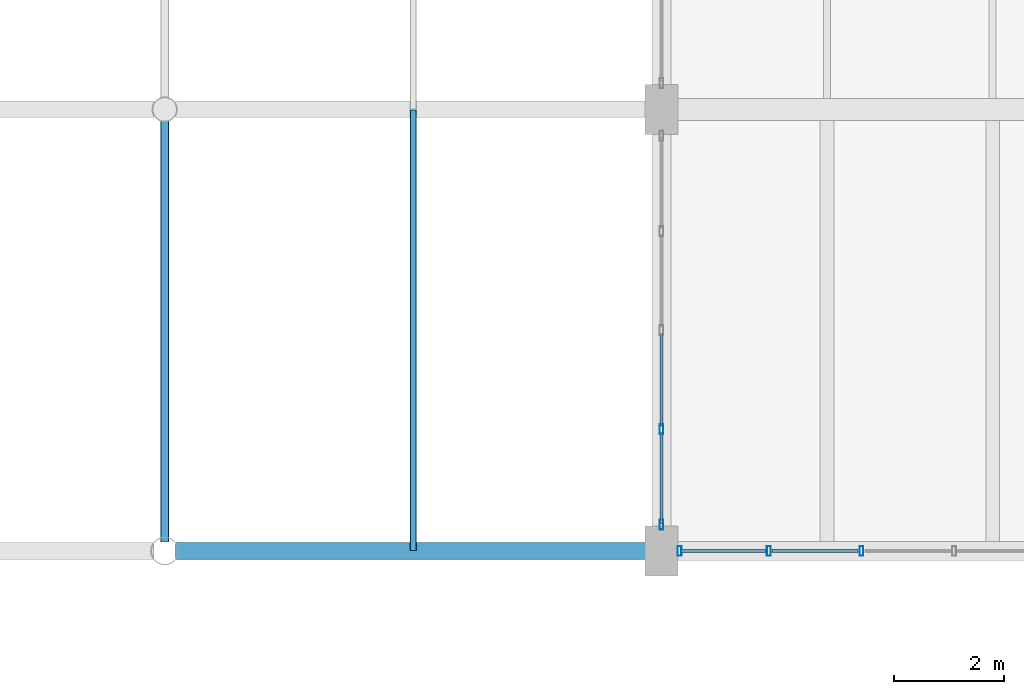
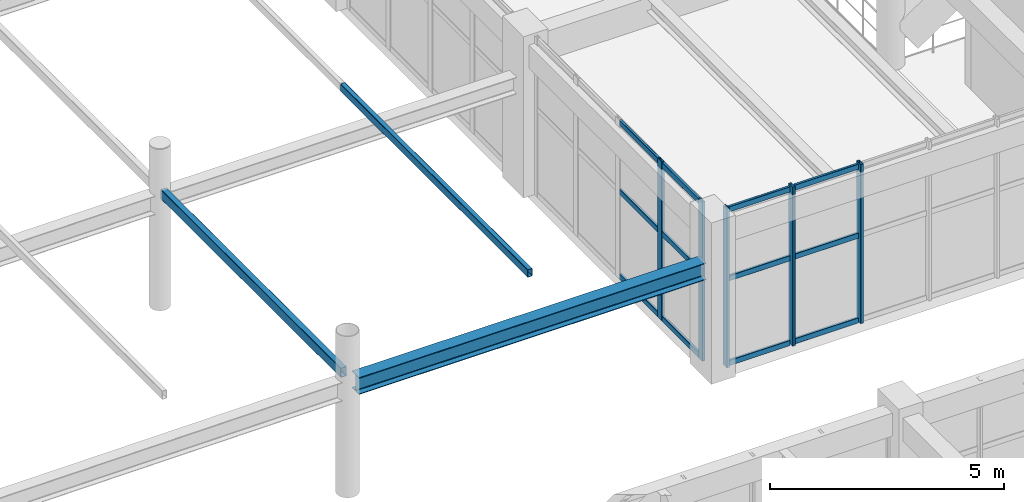
# One storey, part 21 of 148: 19 members, 1 beam, 2 elements without a shape of their own.
"""IFC4 building model written with IfcOpenShell, lengths in metres."""

from ifc_helpers import new_model, si_unit, derived_unit, direction, frame, origin, origin_2d, place, context, subcontext, project, spatial, hollow_rectangle, i_section, extrude, material, material_profile, profile_set, type_object, element, aggregate, save


model = new_model("IFC4")

# Units and contexts
model_context = context("Model", 3, precision=1e-05, world=origin(), true_north=direction((0.0, 1.0)))
body_context = subcontext(model_context, "Body", "Model", "MODEL_VIEW")
ifc_project = project(units=[si_unit("LENGTHUNIT", "METRE"), si_unit("AREAUNIT", "SQUARE_METRE"), si_unit("VOLUMEUNIT", "CUBIC_METRE"), si_unit("PLANEANGLEUNIT", "RADIAN"), si_unit("MASSUNIT", "GRAM", prefix="KILO"), derived_unit("THERMALTRANSMITTANCEUNIT", [(si_unit("MASSUNIT", "GRAM", prefix="KILO"), 1), (si_unit("TIMEUNIT", "SECOND"), -3), (si_unit("THERMODYNAMICTEMPERATUREUNIT", "KELVIN"), -1)])], contexts=[model_context])

# Site, building, storey
site_placement = place(None, origin())
site = spatial("IfcSite", under=ifc_project, at=site_placement, CompositionType="ELEMENT")
building_placement = place(site_placement, origin())
building = spatial("IfcBuilding", under=site, at=building_placement, Name="Zhenchuan Archway Interchange", CompositionType="ELEMENT")
storey_placement = place(building_placement, frame((0.0, 0.0, 10.199951171875)))
storey = spatial("IfcBuildingStorey", under=building, at=storey_placement, Name="L02", CompositionType="ELEMENT", Elevation=10.199951171875)

# Beam
ifc_material_1 = material(Name="Steel Q355", Category="steel")
ifc_material_profile_1 = material_profile(ifc_material_1, i_section(OverallWidth=0.300048828125, OverallDepth=0.43994140625, WebThickness=0.010986328125, FlangeThickness=0.01806640625, FilletRadius=0.02197265625, at=origin_2d()), Name="HM 440x300")
ifc_profile_set_1 = profile_set([ifc_material_profile_1], Name="Steel Q355")
beam_type = type_object("IfcBeamType", Name="BM_STL_HM440", PredefinedType="BEAM", material=ifc_profile_set_1)
beam_placement = place(storey_placement, frame((18.199951171875, 24.0, 2.75), z_axis=(1.0, 0.0, 0.0), x_axis=(0.0, 1.0, 0.0)))
element("IfcBeam", 1, at=beam_placement, inside=storey, type_object=beam_type, Name="ROOF TRUSS bus canopy T1 east bottom chord", PredefinedType="BEAM", context=body_context, shape_type="SweptSolid", body=[
    extrude(i_section(OverallWidth=0.300048828125, OverallDepth=0.43994140625, WebThickness=0.010986328125, FlangeThickness=0.01806640625, FilletRadius=0.02197265625, at=origin_2d()), origin(), (0.0, 0.0, 1.0), 8.550048828125),
])

# Curtain wall, members
ifc_material_2 = material(Name="Anodised Aluminium", Category="aluminium")
curtain_wall_type_1 = type_object("IfcCurtainWallType", Name="CW_UNIT_2", PredefinedType="NOTDEFINED", material=ifc_material_2)
curtain_wall_1_placement = place(storey_placement, origin())
curtain_wall_1 = element("IfcCurtainWall", 2, at=curtain_wall_1_placement, inside=storey, type_object=curtain_wall_type_1, Name="Unitised curtain wall CW:L02:125", PredefinedType="NOTDEFINED")
ifc_material_profile_2 = material_profile(ifc_material_2, hollow_rectangle(XDim=0.070068359375, YDim=0.179931640625, WallThickness=0.00390625, InnerFilletRadius=0.00390625, OuterFilletRadius=0.008056640625, at=origin_2d()), Name="ALU 180x70x4")
ifc_profile_set_2 = profile_set([ifc_material_profile_2], Name="Anodised Aluminium")
member_type_1 = type_object("IfcMemberType", Name="CW_MUL_180", PredefinedType="MULLION", material=ifc_profile_set_2)
member_1_placement = place(storey_placement, frame((30.62353515625, 24.0, 0.0), z_axis=(0.0, 0.0, 1.0), x_axis=(1.0, 0.0, 0.0)))
member_1 = element("IfcMember", 3, at=member_1_placement, type_object=member_type_1, Name="CW:L02:125 mullion 3", PredefinedType="MULLION", context=body_context, shape_type="SweptSolid", body=[
    extrude(hollow_rectangle(XDim=0.070068359375, YDim=0.179931640625, WallThickness=0.00390625, InnerFilletRadius=0.00390625, OuterFilletRadius=0.008056640625, at=origin_2d()), origin(), (0.0, 0.0, 1.0), 4.14013671875),
])
member_2_placement = place(storey_placement, frame((28.94580078125, 24.0, 0.0), z_axis=(0.0, 0.0, 1.0), x_axis=(1.0, 0.0, 0.0)))
member_2 = element("IfcMember", 4, at=member_2_placement, type_object=member_type_1, Name="CW:L02:125 mullion 4", PredefinedType="MULLION", context=body_context, shape_type="SweptSolid", body=[
    extrude(hollow_rectangle(XDim=0.070068359375, YDim=0.179931640625, WallThickness=0.00390625, InnerFilletRadius=0.00390625, OuterFilletRadius=0.008056640625, at=origin_2d()), origin(), (0.0, 0.0, 1.0), 4.14013671875),
])
member_3_placement = place(storey_placement, frame((27.327880859375, 24.0, 0.0), z_axis=(0.0, 0.0, 1.0), x_axis=(1.0, 0.0, 0.0)))
member_3 = element("IfcMember", 5, at=member_3_placement, type_object=member_type_1, Name="CW:L02:125 mullion 5", PredefinedType="MULLION", context=body_context, shape_type="SweptSolid", body=[
    extrude(hollow_rectangle(XDim=0.070068359375, YDim=0.179931640625, WallThickness=0.00390625, InnerFilletRadius=0.00390625, OuterFilletRadius=0.008056640625, at=origin_2d()), origin(), (0.0, 0.0, 1.0), 4.14013671875),
])

curtain_wall_type_2 = type_object("IfcCurtainWallType", Name="CW_UNIT_3", PredefinedType="NOTDEFINED", material=ifc_material_2)
curtain_wall_2_placement = place(storey_placement, origin())
curtain_wall_2 = element("IfcCurtainWall", 6, at=curtain_wall_2_placement, inside=storey, type_object=curtain_wall_type_2, Name="Unitised curtain wall CW:L02:126", PredefinedType="NOTDEFINED")
member_4_placement = place(storey_placement, frame((27.0, 24.47802734375, 0.0), z_axis=(0.0, 0.0, 1.0), x_axis=(1.0, 0.0, 0.0)))
member_4 = element("IfcMember", 7, at=member_4_placement, type_object=member_type_1, Name="CW:L02:126 mullion 0", PredefinedType="MULLION", context=body_context, shape_type="SweptSolid", body=[
    extrude(hollow_rectangle(XDim=0.070068359375, YDim=0.179931640625, WallThickness=0.00390625, InnerFilletRadius=0.00390625, OuterFilletRadius=0.008056640625, at=origin_2d()), origin(), (0.0, 0.0, 1.0), 4.14013671875),
])
member_5_placement = place(storey_placement, frame((27.0, 26.208984375, 0.0), z_axis=(0.0, 0.0, 1.0), x_axis=(1.0, 0.0, 0.0)))
member_5 = element("IfcMember", 8, at=member_5_placement, type_object=member_type_1, Name="CW:L02:126 mullion 1", PredefinedType="MULLION", context=body_context, shape_type="SweptSolid", body=[
    extrude(hollow_rectangle(XDim=0.070068359375, YDim=0.179931640625, WallThickness=0.00390625, InnerFilletRadius=0.00390625, OuterFilletRadius=0.008056640625, at=origin_2d()), origin(), (0.0, 0.0, 1.0), 4.14013671875),
])

# Member
ifc_material_profile_3 = material_profile(ifc_material_2, hollow_rectangle(XDim=0.06005859375, YDim=0.139892578125, WallThickness=0.00341796875, InnerFilletRadius=0.00341796875, OuterFilletRadius=0.007080078125, at=origin_2d()), Name="ALU 140x60x3.5")
ifc_profile_set_3 = profile_set([ifc_material_profile_3], Name="Anodised Aluminium")
member_type_2 = type_object("IfcMemberType", Name="CW_TRN_140", PredefinedType="USERDEFINED", material=ifc_profile_set_3)
member_6_placement = place(storey_placement, frame((30.563720703125, 24.0, 0.06005859375), z_axis=(-1.0, 0.0, 0.0), x_axis=(0.0, -1.0, 0.0)))
member_6 = element("IfcMember", 9, at=member_6_placement, type_object=member_type_2, Name="CW:L02:125 transom 3-1", ObjectType="TRANSOM", PredefinedType="USERDEFINED", context=body_context, shape_type="SweptSolid", body=[
    extrude(hollow_rectangle(XDim=0.06005859375, YDim=0.139892578125, WallThickness=0.00341796875, InnerFilletRadius=0.00341796875, OuterFilletRadius=0.007080078125, at=origin_2d()), origin(), (0.0, 0.0, 1.0), 1.557861328125),
])

member_7_placement = place(storey_placement, frame((30.563720703125, 24.0, 2.26611328125), z_axis=(-1.0, 0.0, 0.0), x_axis=(0.0, -1.0, 0.0)))
member_7 = element("IfcMember", 10, at=member_7_placement, type_object=member_type_2, Name="CW:L02:125 transom 3-2", ObjectType="TRANSOM", PredefinedType="USERDEFINED", context=body_context, shape_type="SweptSolid", body=[
    extrude(hollow_rectangle(XDim=0.06005859375, YDim=0.139892578125, WallThickness=0.00341796875, InnerFilletRadius=0.00341796875, OuterFilletRadius=0.007080078125, at=origin_2d()), origin(), (0.0, 0.0, 1.0), 1.557861328125),
])

member_8_placement = place(storey_placement, frame((30.563720703125, 24.0, 4.06005859375), z_axis=(-1.0, 0.0, 0.0), x_axis=(0.0, -1.0, 0.0)))
member_8 = element("IfcMember", 11, at=member_8_placement, type_object=member_type_2, Name="CW:L02:125 transom 3-3", ObjectType="TRANSOM", PredefinedType="USERDEFINED", context=body_context, shape_type="SweptSolid", body=[
    extrude(hollow_rectangle(XDim=0.06005859375, YDim=0.139892578125, WallThickness=0.00341796875, InnerFilletRadius=0.00341796875, OuterFilletRadius=0.007080078125, at=origin_2d()), origin(), (0.0, 0.0, 1.0), 1.557861328125),
])

member_9_placement = place(storey_placement, frame((28.8857421875, 24.0, 0.06005859375), z_axis=(-1.0, 0.0, 0.0), x_axis=(0.0, -1.0, 0.0)))
member_9 = element("IfcMember", 12, at=member_9_placement, type_object=member_type_2, Name="CW:L02:125 transom 4-1", ObjectType="TRANSOM", PredefinedType="USERDEFINED", context=body_context, shape_type="SweptSolid", body=[
    extrude(hollow_rectangle(XDim=0.06005859375, YDim=0.139892578125, WallThickness=0.00341796875, InnerFilletRadius=0.00341796875, OuterFilletRadius=0.007080078125, at=origin_2d()), origin(), (0.0, 0.0, 1.0), 1.537841796875),
])

member_10_placement = place(storey_placement, frame((28.8857421875, 24.0, 2.26611328125), z_axis=(-1.0, 0.0, 0.0), x_axis=(0.0, -1.0, 0.0)))
member_10 = element("IfcMember", 13, at=member_10_placement, type_object=member_type_2, Name="CW:L02:125 transom 4-2", ObjectType="TRANSOM", PredefinedType="USERDEFINED", context=body_context, shape_type="SweptSolid", body=[
    extrude(hollow_rectangle(XDim=0.06005859375, YDim=0.139892578125, WallThickness=0.00341796875, InnerFilletRadius=0.00341796875, OuterFilletRadius=0.007080078125, at=origin_2d()), origin(), (0.0, 0.0, 1.0), 1.537841796875),
])

member_11_placement = place(storey_placement, frame((28.8857421875, 24.0, 4.06005859375), z_axis=(-1.0, 0.0, 0.0), x_axis=(0.0, -1.0, 0.0)))
member_11 = element("IfcMember", 14, at=member_11_placement, type_object=member_type_2, Name="CW:L02:125 transom 4-3", ObjectType="TRANSOM", PredefinedType="USERDEFINED", context=body_context, shape_type="SweptSolid", body=[
    extrude(hollow_rectangle(XDim=0.06005859375, YDim=0.139892578125, WallThickness=0.00341796875, InnerFilletRadius=0.00341796875, OuterFilletRadius=0.007080078125, at=origin_2d()), origin(), (0.0, 0.0, 1.0), 1.537841796875),
])

aggregate(curtain_wall_1, [member_1, member_2, member_3, member_6, member_7, member_8, member_9, member_10, member_11])

member_12_placement = place(storey_placement, frame((27.0, 24.498046875, 0.06005859375), z_axis=(0.0, 1.0, 0.0), x_axis=(-1.0, 0.0, 0.0)))
member_12 = element("IfcMember", 15, at=member_12_placement, type_object=member_type_2, Name="CW:L02:126 transom 0-1", ObjectType="TRANSOM", PredefinedType="USERDEFINED", context=body_context, shape_type="SweptSolid", body=[
    extrude(hollow_rectangle(XDim=0.06005859375, YDim=0.139892578125, WallThickness=0.00341796875, InnerFilletRadius=0.00341796875, OuterFilletRadius=0.007080078125, at=origin_2d()), origin(), (0.0, 0.0, 1.0), 1.65087890625),
])

member_13_placement = place(storey_placement, frame((27.0, 24.498046875, 2.26611328125), z_axis=(0.0, 1.0, 0.0), x_axis=(-1.0, 0.0, 0.0)))
member_13 = element("IfcMember", 16, at=member_13_placement, type_object=member_type_2, Name="CW:L02:126 transom 0-2", ObjectType="TRANSOM", PredefinedType="USERDEFINED", context=body_context, shape_type="SweptSolid", body=[
    extrude(hollow_rectangle(XDim=0.06005859375, YDim=0.139892578125, WallThickness=0.00341796875, InnerFilletRadius=0.00341796875, OuterFilletRadius=0.007080078125, at=origin_2d()), origin(), (0.0, 0.0, 1.0), 1.65087890625),
])

member_14_placement = place(storey_placement, frame((27.0, 24.498046875, 4.06005859375), z_axis=(0.0, 1.0, 0.0), x_axis=(-1.0, 0.0, 0.0)))
member_14 = element("IfcMember", 17, at=member_14_placement, type_object=member_type_2, Name="CW:L02:126 transom 0-3", ObjectType="TRANSOM", PredefinedType="USERDEFINED", context=body_context, shape_type="SweptSolid", body=[
    extrude(hollow_rectangle(XDim=0.06005859375, YDim=0.139892578125, WallThickness=0.00341796875, InnerFilletRadius=0.00341796875, OuterFilletRadius=0.007080078125, at=origin_2d()), origin(), (0.0, 0.0, 1.0), 1.65087890625),
])

member_15_placement = place(storey_placement, frame((27.0, 26.26904296875, 0.06005859375), z_axis=(0.0, 1.0, 0.0), x_axis=(-1.0, 0.0, 0.0)))
member_15 = element("IfcMember", 18, at=member_15_placement, type_object=member_type_2, Name="CW:L02:126 transom 1-1", ObjectType="TRANSOM", PredefinedType="USERDEFINED", context=body_context, shape_type="SweptSolid", body=[
    extrude(hollow_rectangle(XDim=0.06005859375, YDim=0.139892578125, WallThickness=0.00341796875, InnerFilletRadius=0.00341796875, OuterFilletRadius=0.007080078125, at=origin_2d()), origin(), (0.0, 0.0, 1.0), 1.6708984375),
])

member_16_placement = place(storey_placement, frame((27.0, 26.26904296875, 2.26611328125), z_axis=(0.0, 1.0, 0.0), x_axis=(-1.0, 0.0, 0.0)))
member_16 = element("IfcMember", 19, at=member_16_placement, type_object=member_type_2, Name="CW:L02:126 transom 1-2", ObjectType="TRANSOM", PredefinedType="USERDEFINED", context=body_context, shape_type="SweptSolid", body=[
    extrude(hollow_rectangle(XDim=0.06005859375, YDim=0.139892578125, WallThickness=0.00341796875, InnerFilletRadius=0.00341796875, OuterFilletRadius=0.007080078125, at=origin_2d()), origin(), (0.0, 0.0, 1.0), 1.6708984375),
])

member_17_placement = place(storey_placement, frame((27.0, 26.26904296875, 4.06005859375), z_axis=(0.0, 1.0, 0.0), x_axis=(-1.0, 0.0, 0.0)))
member_17 = element("IfcMember", 20, at=member_17_placement, type_object=member_type_2, Name="CW:L02:126 transom 1-3", ObjectType="TRANSOM", PredefinedType="USERDEFINED", context=body_context, shape_type="SweptSolid", body=[
    extrude(hollow_rectangle(XDim=0.06005859375, YDim=0.139892578125, WallThickness=0.00341796875, InnerFilletRadius=0.00341796875, OuterFilletRadius=0.007080078125, at=origin_2d()), origin(), (0.0, 0.0, 1.0), 1.6708984375),
])

aggregate(curtain_wall_2, [member_4, member_5, member_12, member_13, member_14, member_15, member_16, member_17])

# Members
ifc_material_profile_4 = material_profile(ifc_material_1, hollow_rectangle(XDim=0.1201171875, YDim=0.199951171875, WallThickness=0.008056640625, InnerFilletRadius=0.008056640625, OuterFilletRadius=0.01611328125, at=origin_2d()), Name="RHS 200x120x8")
ifc_profile_set_4 = profile_set([ifc_material_profile_4], Name="Steel Q355")
member_type_3 = type_object("IfcMemberType", Name="MB_RHS200", PredefinedType="PURLIN", material=ifc_profile_set_4)
member_18_placement = place(storey_placement, frame((22.5, 24.008056640625, 4.10009765625), z_axis=(0.0, 1.0, 0.0), x_axis=(-1.0, 0.0, 0.0)))
element("IfcMember", 21, at=member_18_placement, inside=storey, type_object=member_type_3, Name="Bus canopy roof purlin B1-P6", PredefinedType="PURLIN", context=body_context, shape_type="SweptSolid", body=[
    extrude(hollow_rectangle(XDim=0.1201171875, YDim=0.199951171875, WallThickness=0.008056640625, InnerFilletRadius=0.008056640625, OuterFilletRadius=0.01611328125, at=origin_2d()), origin(), (0.0, 0.0, 1.0), 7.98388671875),
])
ifc_material_profile_5 = material_profile(ifc_material_1, hollow_rectangle(XDim=0.14990234375, YDim=0.25, WallThickness=0.008056640625, InnerFilletRadius=0.008056640625, OuterFilletRadius=0.01611328125, at=origin_2d()), Name="RHS 250x150x8")
ifc_profile_set_5 = profile_set([ifc_material_profile_5], Name="Steel Q355")
member_type_4 = type_object("IfcMemberType", Name="MB_RHS250", PredefinedType="PURLIN", material=ifc_profile_set_5)
member_19_placement = place(storey_placement, frame((18.0, 24.159912109375, 3.0), z_axis=(0.0, 1.0, 0.0), x_axis=(-1.0, 0.0, 0.0)))
element("IfcMember", 22, at=member_19_placement, inside=storey, type_object=member_type_4, Name="Bus canopy roof purlin B1-P5", PredefinedType="PURLIN", context=body_context, shape_type="SweptSolid", body=[
    extrude(hollow_rectangle(XDim=0.14990234375, YDim=0.25, WallThickness=0.008056640625, InnerFilletRadius=0.008056640625, OuterFilletRadius=0.01611328125, at=origin_2d()), origin(), (0.0, 0.0, 1.0), 7.68017578125),
])

save(model, "model.ifc")
